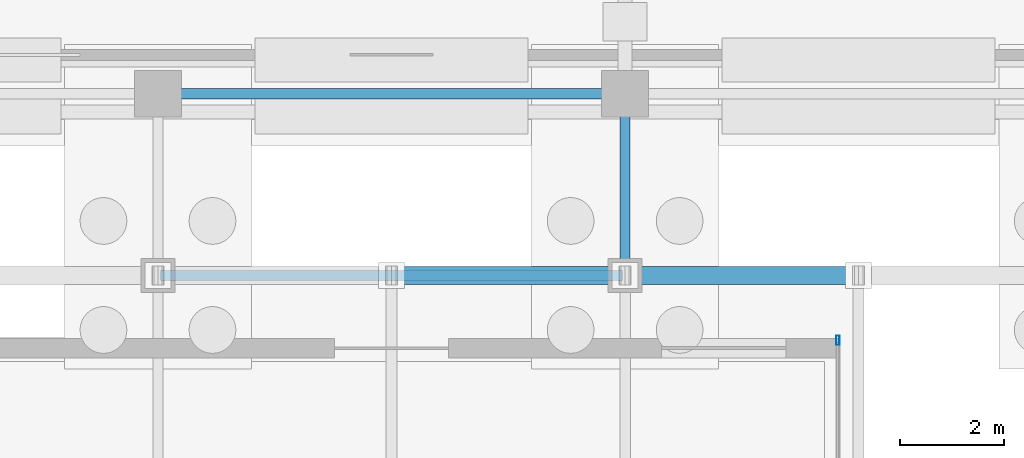
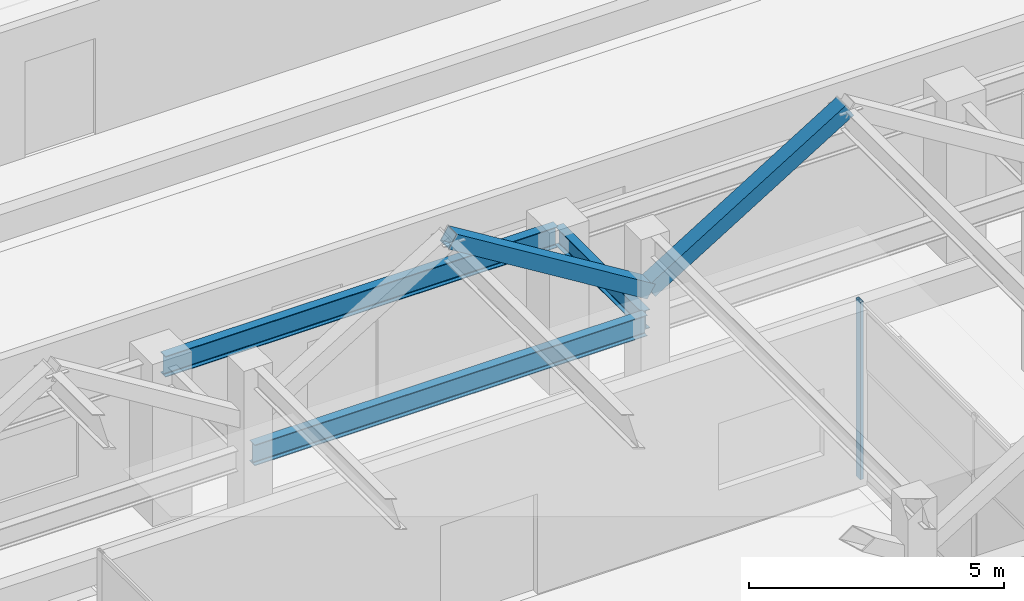
# One storey, part 59 of 160: 3 beams, 3 members, 1 element without a shape of its own.
"""IFC4 building model written with IfcOpenShell, lengths in metres."""

from ifc_helpers import new_model, si_unit, direction, frame, origin, origin_2d, place, context, subcontext, project, spatial, hollow_rectangle, i_section, extrude, material, layer, layer_set, material_profile, profile_set, type_object, element, aggregate, save


model = new_model("IFC4")

# Units and contexts
model_context = context("Model", 3, precision=1e-05, world=origin(), true_north=direction((0.0, 1.0)))
body_context = subcontext(model_context, "Body", "Model", "MODEL_VIEW")
ifc_project = project(units=[si_unit("LENGTHUNIT", "METRE"), si_unit("AREAUNIT", "SQUARE_METRE"), si_unit("VOLUMEUNIT", "CUBIC_METRE"), si_unit("PLANEANGLEUNIT", "RADIAN"), si_unit("MASSUNIT", "GRAM", prefix="KILO")], contexts=[model_context])

# Site, building, storey
site_placement = place(None, origin())
site = spatial("IfcSite", under=ifc_project, at=site_placement, CompositionType="ELEMENT")
building_placement = place(site_placement, origin())
building = spatial("IfcBuilding", under=site, at=building_placement, Name="Marlcrest Central Station", CompositionType="ELEMENT")
storey_placement = place(building_placement, origin())
storey = spatial("IfcBuildingStorey", under=building, at=storey_placement, Name="L00", CompositionType="ELEMENT", Elevation=0.0)

# Beams
ifc_material_1 = material(Name="Steel S355", Category="steel")
ifc_material_profile_1 = material_profile(ifc_material_1, i_section(OverallWidth=0.18994140625, OverallDepth=0.449951171875, WebThickness=0.009521484375, FlangeThickness=0.0146484375, FilletRadius=0.02099609375, at=origin_2d()), Name="IPE 450")
ifc_profile_set_1 = profile_set([ifc_material_profile_1], Name="Steel S355")
beam_type_1 = type_object("IfcBeamType", Name="BM-04", PredefinedType="BEAM", material=ifc_profile_set_1)
beam_placement = place(storey_placement, frame((36.0, 33.050048828125, 4.385009765625), z_axis=(0.0, 1.0, 0.0), x_axis=(-1.0, 0.0, 0.0)))
element("IfcBeam", 1, at=beam_placement, inside=storey, type_object=beam_type_1, Name="bm-BM-04-L00-01073", PredefinedType="BEAM", context=body_context, shape_type="SweptSolid", body=[
    extrude(i_section(OverallWidth=0.18994140625, OverallDepth=0.449951171875, WebThickness=0.009521484375, FlangeThickness=0.0146484375, FilletRadius=0.02099609375, at=origin_2d()), origin(), (0.0, 0.0, 1.0), 3.39990234375),
])
ifc_material_profile_2 = material_profile(ifc_material_1, i_section(OverallWidth=0.199951171875, OverallDepth=0.5, WebThickness=0.01025390625, FlangeThickness=0.01611328125, FilletRadius=0.02099609375, at=origin_2d()), Name="IPE 500")
ifc_profile_set_2 = profile_set([ifc_material_profile_2], Name="Steel S355")
beam_type_2 = type_object("IfcBeamType", Name="BM-05", PredefinedType="BEAM", material=ifc_profile_set_2)
for number, where, z_axis, x_axis, name in (
    (2, (27.050048828125, 33.0, 4.360107421875), (1.0, 0.0, 0.0), (0.0, 1.0, 0.0), "bm-BM-05-L00-01070"),
    (3, (27.050048828125, 36.5, 4.360107421875), (1.0, 0.0, 0.0), (0.0, 1.0, 0.0), "bm-BM-05-L00-01071"),
):
    element("IfcBeam", number, at=place(storey_placement, frame(where, z_axis=z_axis, x_axis=x_axis)), inside=storey, type_object=beam_type_2, Name=name, PredefinedType="BEAM", context=body_context, shape_type="SweptSolid", body=[
        extrude(i_section(OverallWidth=0.199951171875, OverallDepth=0.5, WebThickness=0.01025390625, FlangeThickness=0.01611328125, FilletRadius=0.02099609375, at=origin_2d()), origin(), (0.0, 0.0, 1.0), 8.89990234375),
    ])

# Curtain wall, member
ifc_material_2 = material(Name="Anodised aluminium and hurricane laminated glass", Category="aluminium")
ifc_layer = layer(ifc_material_2, 0.179931640625, Name="CW-S1")
ifc_layer_set = layer_set([ifc_layer], Name="Anodised aluminium and hurricane laminated glass")
curtain_wall_type = type_object("IfcCurtainWallType", Name="CW-S1", PredefinedType="USERDEFINED", material=ifc_layer_set)
curtain_wall_placement = place(storey_placement, origin())
curtain_wall = element("IfcCurtainWall", 4, at=curtain_wall_placement, inside=storey, type_object=curtain_wall_type, Name="cw-L00-0146", ObjectType="STICK_CURTAIN_WALL", PredefinedType="USERDEFINED")
ifc_material_3 = material(Name="Anodised aluminium 6063-T6", Category="aluminium")
ifc_material_profile_3 = material_profile(ifc_material_3, hollow_rectangle(XDim=0.070068359375, YDim=0.179931640625, WallThickness=0.0048828125, at=origin_2d()), Name="AA-RHS 180x70x5")
ifc_profile_set_3 = profile_set([ifc_material_profile_3], Name="Anodised aluminium 6063-T6")
member_type_1 = type_object("IfcMemberType", Name="ML-02", PredefinedType="MULLION", material=ifc_profile_set_3)
member_placement = place(storey_placement, frame((40.10009765625, 31.75, -0.030029296875), z_axis=(0.0, 0.0, 1.0), x_axis=(1.0, 0.0, 0.0)))
member = element("IfcMember", 5, at=member_placement, type_object=member_type_1, Name="cw-L00-0146-ml-0", PredefinedType="MULLION", context=body_context, shape_type="SweptSolid", body=[
    extrude(hollow_rectangle(XDim=0.070068359375, YDim=0.179931640625, WallThickness=0.0048828125, at=origin_2d()), origin(), (0.0, 0.0, 1.0), 4.260009765625),
])
aggregate(curtain_wall, [member])

# Members
ifc_material_profile_4 = material_profile(ifc_material_1, hollow_rectangle(XDim=0.35009765625, YDim=0.35009765625, WallThickness=0.01611328125, at=origin_2d()), Name="SHS 350x350x16")
ifc_profile_set_4 = profile_set([ifc_material_profile_4], Name="Steel S355")
member_type_2 = type_object("IfcMemberType", Name="ST-02", PredefinedType="STRUT", material=ifc_profile_set_4)
for number, where, z_axis, x_axis, name in (
    (6, (36.0, 33.0, 5.199951171875), (-0.851591684043, 0.0, 0.524205688322), (0.0, -1.0, 0.0), "mem-ST-02-L00-00042"),
    (7, (36.0, 33.0, 5.199951171875), (0.851591684043, 0.0, 0.524205688322), (0.0, 1.0, 0.0), "mem-ST-02-L00-00047"),
):
    element("IfcMember", number, at=place(storey_placement, frame(where, z_axis=z_axis, x_axis=x_axis)), inside=storey, type_object=member_type_2, Name=name, PredefinedType="STRUT", context=body_context, shape_type="SweptSolid", body=[
        extrude(hollow_rectangle(XDim=0.35009765625, YDim=0.35009765625, WallThickness=0.01611328125, at=origin_2d()), origin(), (0.0, 0.0, 1.0), 5.2841796875),
    ])

save(model, "model.ifc")
